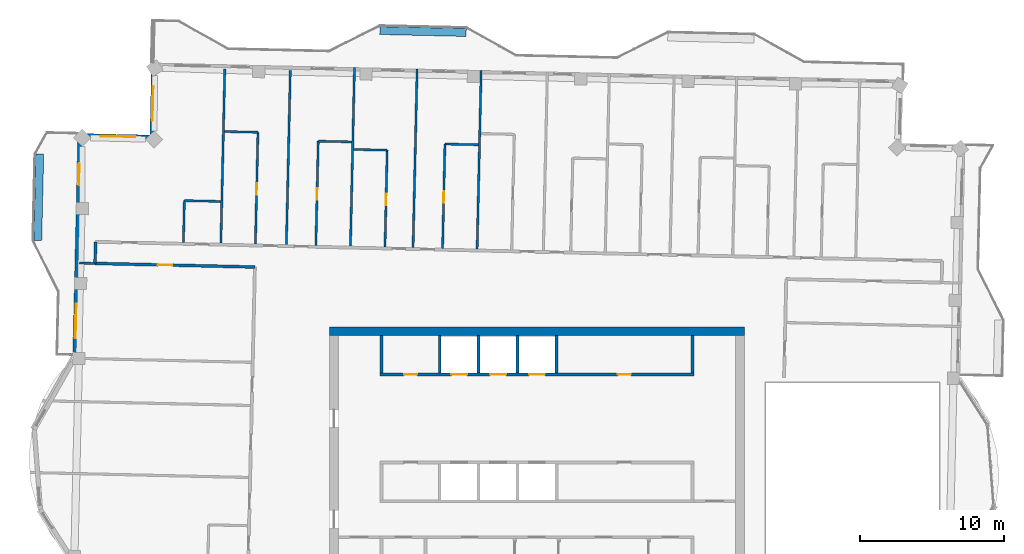
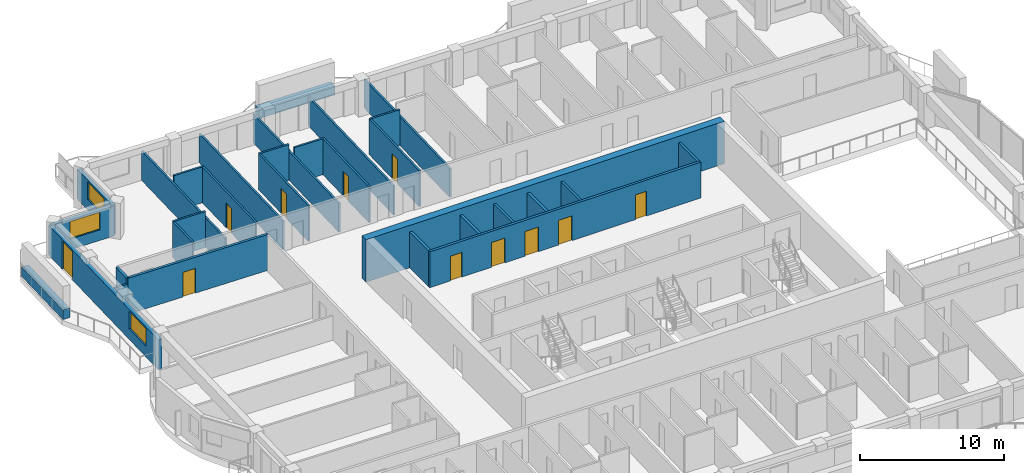
# One storey, part 8 of 15: 31 walls, 11 doors, 3 windows, 14 openings.
"""IFC4 building model written with IfcOpenShell, lengths in metres."""

from ifc_helpers import new_model, si_unit, direction, frame, frame_2d, origin, place, context, subcontext, project, spatial, rectangle, extrude, material, layer, layer_set, type_object, element, fill, save


model = new_model("IFC4")

# Units and contexts
model_context = context("Model", 3, precision=1e-05, world=origin(), true_north=direction((0.0, 1.0)))
body_context = subcontext(model_context, "Body", "Model", "MODEL_VIEW")
ifc_project = project(units=[si_unit("LENGTHUNIT", "METRE"), si_unit("AREAUNIT", "SQUARE_METRE"), si_unit("VOLUMEUNIT", "CUBIC_METRE"), si_unit("PLANEANGLEUNIT", "RADIAN"), si_unit("MASSUNIT", "GRAM", prefix="KILO")], contexts=[model_context])

# Site, building, storey
site_placement = place(None, origin())
site = spatial("IfcSite", under=ifc_project, at=site_placement, CompositionType="ELEMENT")
building_placement = place(site_placement, origin())
building = spatial("IfcBuilding", under=site, at=building_placement, Name="Mangrove Gate Tower", CompositionType="ELEMENT")
storey_placement = place(building_placement, frame((0.0, 0.0, 316.89990234375)))
storey = spatial("IfcBuildingStorey", under=building, at=storey_placement, Name="L81", CompositionType="ELEMENT", Elevation=316.89990234375)

# Walls
ifc_material_1 = material(Name="Concrete C32/40", Category="concrete")
ifc_layer_1 = layer(ifc_material_1, 0.199951171875)
ifc_layer_set_1 = layer_set([ifc_layer_1], Name="Core room wall 200 C32/40")
wall_type_1 = type_object("IfcWallType", Name="Core room wall 200 C32/40", PredefinedType="STANDARD", material=ifc_layer_set_1)
for number, where, z_axis, x_axis, name in (
    (1, (-10.800048828125, 8.199951171875, 0.0), (0.0, 0.0, 1.0), (0.0, 1.0, 0.0), "WALL-L81-CORE-25"),
    (2, (10.800048828125, 8.199951171875, 0.0), (0.0, 0.0, 1.0), (0.0, 1.0, 0.0), "WALL-L81-CORE-30"),
):
    element("IfcWall", number, at=place(storey_placement, frame(where, z_axis=z_axis, x_axis=x_axis)), inside=storey, type_object=wall_type_1, Name=name, PredefinedType="STANDARD", context=body_context, shape_type="SweptSolid", body=[
        extrude(rectangle(XDim=2.60009765625, YDim=0.199951171875, at=frame_2d((1.300048828125, 0.0))), origin(), (0.0, 0.0, 1.0), 3.050048828125),
    ])

# Wall, openings, doors
ifc_material_2 = material(Name="Concrete C50/60", Category="concrete")
ifc_layer_2 = layer(ifc_material_2, 0.199951171875)
ifc_layer_set_2 = layer_set([ifc_layer_2], Name="Core shaft wall 200 C50/60")
wall_type_2 = type_object("IfcWallType", Name="Core shaft wall 200 C50/60", PredefinedType="SHEAR", material=ifc_layer_set_2)
wall_1_placement = place(storey_placement, frame((-10.89990234375, 8.10009765625, 0.0), z_axis=(0.0, 0.0, 1.0), x_axis=(1.0, 0.0, 0.0)))
wall_1 = element("IfcWall", 3, at=wall_1_placement, inside=storey, type_object=wall_type_2, Name="WALL-L81-CORE-8", PredefinedType="SHEAR", context=body_context, shape_type="SweptSolid", body=[
    extrude(rectangle(XDim=21.7998046875, YDim=0.199951171875, at=frame_2d((10.89990234375, 0.0))), origin(), (0.0, 0.0, 1.0), 3.050048828125),
])
opening_1_placement = place(wall_1_placement, frame((4.949951171875, 0.0, 0.0)))
opening_1 = element("IfcOpeningElement", 4, at=opening_1_placement, cuts=wall_1, Name="Opening LD", PredefinedType="OPENING", context=body_context, shape_type="SweptSolid", body=[
    extrude(rectangle(XDim=1.10009765625, YDim=2.10009765625, at=frame_2d((0.550048828125, 1.050048828125))), frame((0.0, 0.10986328125, 0.0), z_axis=(0.0, -1.0, 0.0), x_axis=(1.0, 0.0, 0.0)), (0.0, 0.0, 1.0), 0.219970703125),
])
opening_2_placement = place(wall_1_placement, frame((7.64990234375, 0.0, 0.0)))
opening_2 = element("IfcOpeningElement", 5, at=opening_2_placement, cuts=wall_1, Name="Opening LD", PredefinedType="OPENING", context=body_context, shape_type="SweptSolid", body=[
    extrude(rectangle(XDim=1.10009765625, YDim=2.10009765625, at=frame_2d((0.550048828125, 1.050048828125))), frame((0.0, 0.10986328125, 0.0), z_axis=(0.0, -1.0, 0.0), x_axis=(1.0, 0.0, 0.0)), (0.0, 0.0, 1.0), 0.219970703125),
])
opening_3_placement = place(wall_1_placement, frame((10.35009765625, 0.0, 0.0)))
opening_3 = element("IfcOpeningElement", 6, at=opening_3_placement, cuts=wall_1, Name="Opening LD", PredefinedType="OPENING", context=body_context, shape_type="SweptSolid", body=[
    extrude(rectangle(XDim=1.10009765625, YDim=2.10009765625, at=frame_2d((0.550048828125, 1.050048828125))), frame((0.0, 0.10986328125, 0.0), z_axis=(0.0, -1.0, 0.0), x_axis=(1.0, 0.0, 0.0)), (0.0, 0.0, 1.0), 0.219970703125),
])
opening_4_placement = place(wall_1_placement, frame((1.675048828125, 0.0, 0.0)))
opening_4 = element("IfcOpeningElement", 7, at=opening_4_placement, cuts=wall_1, Name="Opening RD", PredefinedType="OPENING", context=body_context, shape_type="SweptSolid", body=[
    extrude(rectangle(XDim=0.89990234375, YDim=2.10009765625, at=frame_2d((0.449951171875, 1.050048828125))), frame((0.0, 0.10986328125, 0.0), z_axis=(0.0, -1.0, 0.0), x_axis=(1.0, 0.0, 0.0)), (0.0, 0.0, 1.0), 0.219970703125),
])
opening_5_placement = place(wall_1_placement, frame((16.52490234375, 0.0, 0.0)))
opening_5 = element("IfcOpeningElement", 8, at=opening_5_placement, cuts=wall_1, Name="Opening KD", PredefinedType="OPENING", context=body_context, shape_type="SweptSolid", body=[
    extrude(rectangle(XDim=0.89990234375, YDim=2.10009765625, at=frame_2d((0.449951171875, 1.050048828125))), frame((0.0, 0.10986328125, 0.0), z_axis=(0.0, -1.0, 0.0), x_axis=(1.0, 0.0, 0.0)), (0.0, 0.0, 1.0), 0.219970703125),
])
ifc_material_3 = material(Name="Fire-rated steel door set", Category="steel")
door_type_1 = type_object("IfcDoorType", Name="Core room door FD30S 900x2100", OperationType="SINGLE_SWING_RIGHT", PredefinedType="DOOR", material=ifc_material_3)
door_1_placement = place(opening_5_placement, origin())
door_1 = element("IfcDoor", 9, at=door_1_placement, inside=storey, type_object=door_type_1, Name="Core room door Core WC", OperationType="SINGLE_SWING_RIGHT", OverallHeight=2.10009765625, OverallWidth=0.89990234375, PredefinedType="DOOR", context=body_context, shape_type="SweptSolid", body=[
    extrude(rectangle(XDim=0.89990234375, YDim=2.10009765625, at=frame_2d((0.449951171875, 1.050048828125))), frame((0.0, 0.02490234375, 0.0), z_axis=(0.0, -1.0, 0.0), x_axis=(1.0, 0.0, 0.0)), (0.0, 0.0, 1.0), 0.050048828125),
])
fill(opening_5, door_1)
ifc_material_4 = material(Name="Stainless steel 316", Category="steel")
door_type_2 = type_object("IfcDoorType", Name="Lift landing door 1100x2100", OperationType="SLIDING_TO_LEFT", PredefinedType="DOOR", material=ifc_material_4)
door_2_placement = place(opening_1_placement, origin())
door_2 = element("IfcDoor", 10, at=door_2_placement, inside=storey, type_object=door_type_2, Name="Landing door LD H04", OperationType="SLIDING_TO_LEFT", OverallHeight=2.10009765625, OverallWidth=1.10009765625, PredefinedType="DOOR", context=body_context, shape_type="SweptSolid", body=[
    extrude(rectangle(XDim=1.10009765625, YDim=2.10009765625, at=frame_2d((0.550048828125, 1.050048828125))), frame((0.0, 0.02490234375, 0.0), z_axis=(0.0, -1.0, 0.0), x_axis=(1.0, 0.0, 0.0)), (0.0, 0.0, 1.0), 0.050048828125),
])
fill(opening_1, door_2)
door_3_placement = place(opening_2_placement, origin())
door_3 = element("IfcDoor", 11, at=door_3_placement, inside=storey, type_object=door_type_2, Name="Landing door LD H05", OperationType="SLIDING_TO_LEFT", OverallHeight=2.10009765625, OverallWidth=1.10009765625, PredefinedType="DOOR", context=body_context, shape_type="SweptSolid", body=[
    extrude(rectangle(XDim=1.10009765625, YDim=2.10009765625, at=frame_2d((0.550048828125, 1.050048828125))), frame((0.0, 0.02490234375, 0.0), z_axis=(0.0, -1.0, 0.0), x_axis=(1.0, 0.0, 0.0)), (0.0, 0.0, 1.0), 0.050048828125),
])
fill(opening_2, door_3)
door_4_placement = place(opening_3_placement, origin())
door_4 = element("IfcDoor", 12, at=door_4_placement, inside=storey, type_object=door_type_2, Name="Landing door LD H06", OperationType="SLIDING_TO_LEFT", OverallHeight=2.10009765625, OverallWidth=1.10009765625, PredefinedType="DOOR", context=body_context, shape_type="SweptSolid", body=[
    extrude(rectangle(XDim=1.10009765625, YDim=2.10009765625, at=frame_2d((0.550048828125, 1.050048828125))), frame((0.0, 0.02490234375, 0.0), z_axis=(0.0, -1.0, 0.0), x_axis=(1.0, 0.0, 0.0)), (0.0, 0.0, 1.0), 0.050048828125),
])
fill(opening_3, door_4)
ifc_material_5 = material(Name="Fire-rated steel door set", Category="steel")
door_type_3 = type_object("IfcDoorType", Name="Riser door FD30S 900x2100", OperationType="SINGLE_SWING_LEFT", PredefinedType="DOOR", material=ifc_material_5)
door_5_placement = place(opening_4_placement, origin())
door_5 = element("IfcDoor", 13, at=door_5_placement, inside=storey, type_object=door_type_3, Name="Riser door Comms room", OperationType="SINGLE_SWING_LEFT", OverallHeight=2.10009765625, OverallWidth=0.89990234375, PredefinedType="DOOR", context=body_context, shape_type="SweptSolid", body=[
    extrude(rectangle(XDim=0.89990234375, YDim=2.10009765625, at=frame_2d((0.449951171875, 1.050048828125))), frame((0.0, 0.02490234375, 0.0), z_axis=(0.0, -1.0, 0.0), x_axis=(1.0, 0.0, 0.0)), (0.0, 0.0, 1.0), 0.050048828125),
])
fill(opening_4, door_5)

# Walls
for number, where, z_axis, x_axis, name in (
    (14, (-6.75, 8.199951171875, 0.0), (0.0, 0.0, 1.0), (0.0, 1.0, 0.0), "WALL-L81-CORE-26"),
    (15, (-4.050048828125, 8.199951171875, 0.0), (0.0, 0.0, 1.0), (0.0, 1.0, 0.0), "WALL-L81-CORE-27"),
    (16, (-1.35009765625, 8.199951171875, 0.0), (0.0, 0.0, 1.0), (0.0, 1.0, 0.0), "WALL-L81-CORE-28"),
    (17, (1.35009765625, 8.199951171875, 0.0), (0.0, 0.0, 1.0), (0.0, 1.0, 0.0), "WALL-L81-CORE-29"),
):
    element("IfcWall", number, at=place(storey_placement, frame(where, z_axis=z_axis, x_axis=x_axis)), inside=storey, type_object=wall_type_2, Name=name, PredefinedType="SHEAR", context=body_context, shape_type="SweptSolid", body=[
        extrude(rectangle(XDim=2.60009765625, YDim=0.199951171875, at=frame_2d((1.300048828125, 0.0))), origin(), (0.0, 0.0, 1.0), 3.050048828125),
    ])
ifc_material_6 = material(Name="Concrete C50/60", Category="concrete")
ifc_layer_3 = layer(ifc_material_6, 0.60009765625)
ifc_layer_set_3 = layer_set([ifc_layer_3], Name="Core wall 600 C50/60")
wall_type_3 = type_object("IfcWallType", Name="Core wall 600 C50/60", PredefinedType="SHEAR", material=ifc_layer_set_3)
wall_2_placement = place(storey_placement, frame((-14.39990234375, 11.10009765625, 0.0), z_axis=(0.0, 0.0, 1.0), x_axis=(1.0, 0.0, 0.0)))
element("IfcWall", 18, at=wall_2_placement, inside=storey, type_object=wall_type_3, Name="WALL-L81-CORE-2", PredefinedType="SHEAR", context=body_context, shape_type="SweptSolid", body=[
    extrude(rectangle(XDim=28.7998046875, YDim=0.60009765625, at=frame_2d((14.39990234375, 0.0))), origin(), (0.0, 0.0, 1.0), 3.60009765625),
])

# Wall, opening, door
ifc_material_7 = material(Name="Gypsum board on steel stud, EI 60", Category="steel")
ifc_layer_4 = layer(ifc_material_7, 0.199951171875)
ifc_layer_set_4 = layer_set([ifc_layer_4], Name="Corridor wall EI 60")
wall_type_4 = type_object("IfcWallType", Name="Corridor wall EI 60", PredefinedType="PARTITIONING", material=ifc_layer_set_4)
wall_3_placement = place(storey_placement, frame((-30.68603515625, 15.81396484375, 0.0), z_axis=(0.0, 0.0, 1.0), x_axis=(0.999742346277, -0.022698921993, 0.0)))
wall_3 = element("IfcWall", 19, at=wall_3_placement, inside=storey, type_object=wall_type_4, Name="WALL-L81-054", PredefinedType="PARTITIONING", context=body_context, shape_type="SweptSolid", body=[
    extrude(rectangle(XDim=11.099853515625, YDim=0.199951171875, at=frame_2d((5.5498046875, 0.0))), origin(), (0.0, 0.0, 1.0), 3.050048828125),
])
opening_6_placement = place(wall_3_placement, frame((4.35009765625, 0.0, 0.0)))
opening_6 = element("IfcOpeningElement", 20, at=opening_6_placement, cuts=wall_3, Name="Opening AD", PredefinedType="OPENING", context=body_context, shape_type="SweptSolid", body=[
    extrude(rectangle(XDim=1.0, YDim=2.10009765625, at=frame_2d((0.5, 1.050048828125))), frame((0.0, 0.10986328125, 0.0), z_axis=(0.0, -1.0, 0.0), x_axis=(1.0, 0.0, 0.0)), (0.0, 0.0, 1.0), 0.219970703125),
])
ifc_material_8 = material(Name="Timber door leaf", Category="wood")
door_type_4 = type_object("IfcDoorType", Name="Amenity door 1000", OperationType="SINGLE_SWING_LEFT", PredefinedType="DOOR", material=ifc_material_8)
door_6_placement = place(opening_6_placement, origin())
door_6 = element("IfcDoor", 21, at=door_6_placement, inside=storey, type_object=door_type_4, Name="DOOR-L81-LNG-c5b", OperationType="SINGLE_SWING_LEFT", OverallHeight=2.10009765625, OverallWidth=1.0, PredefinedType="DOOR", context=body_context, shape_type="SweptSolid", body=[
    extrude(rectangle(XDim=1.0, YDim=2.10009765625, at=frame_2d((0.5, 1.050048828125))), frame((0.0, 0.02490234375, 0.0), z_axis=(0.0, -1.0, 0.0), x_axis=(1.0, 0.0, 0.0)), (0.0, 0.0, 1.0), 0.050048828125),
])
fill(opening_6, door_6)

# Wall
wall_4_placement = place(storey_placement, frame((-30.68603515625, 15.81396484375, 0.0), z_axis=(0.0, 0.0, 1.0), x_axis=(0.022632637625, 0.99974384905, 0.0)))
element("IfcWall", 22, at=wall_4_placement, inside=storey, type_object=wall_type_4, Name="WALL-L81-055", PredefinedType="PARTITIONING", context=body_context, shape_type="SweptSolid", body=[
    extrude(rectangle(XDim=1.49951171875, YDim=0.199951171875, at=frame_2d((0.749755859375, 0.0))), origin(), (0.0, 0.0, 1.0), 3.050048828125),
])

# Wall, opening, window
ifc_material_9 = material(Name="Limestone", Category="masonry")
ifc_layer_5 = layer(ifc_material_9, 0.0400390625, Name="Limestone cladding")
ifc_material_10 = material(Name="Ventilated air gap")
ifc_layer_6 = layer(ifc_material_10, 0.0400390625, Name="Ventilated cavity")
ifc_material_11 = material(Name="Mineral wool insulation")
ifc_layer_7 = layer(ifc_material_11, 0.06005859375, Name="Insulation")
ifc_material_12 = material(Name="Breather membrane")
ifc_layer_8 = layer(ifc_material_12, 0.001953125, Name="Breather membrane")
ifc_material_13 = material(Name="Concrete C20/25 blockwork", Category="masonry")
ifc_layer_9 = layer(ifc_material_13, 0.14990234375, Name="Blockwork backing wall")
ifc_material_14 = material(Name="Gypsum plaster")
ifc_layer_10 = layer(ifc_material_14, 0.008056640625, Name="Internal plaster")
ifc_layer_set_5 = layer_set([ifc_layer_5, ifc_layer_6, ifc_layer_7, ifc_layer_8, ifc_layer_9, ifc_layer_10], Name="External wall 300 limestone cladding")
wall_type_5 = type_object("IfcWallType", Name="External wall 300 limestone cladding", PredefinedType="SOLIDWALL", material=ifc_layer_set_5)
wall_5_placement = place(storey_placement, frame((-26.623046875, 29.574951171875, 0.0), z_axis=(0.0, 0.0, 1.0), x_axis=(-0.022606059803, -0.999744450377, 0.0)))
wall_5 = element("IfcWall", 23, at=wall_5_placement, inside=storey, type_object=wall_type_5, Name="WALL-L81-W6", PredefinedType="SOLIDWALL", context=body_context, shape_type="SweptSolid", body=[
    extrude(rectangle(XDim=5.000244140625, YDim=0.300048828125, at=frame_2d((2.5, 0.0))), origin(), (0.0, 0.0, 1.0), 2.550048828125),
])
opening_7_placement = place(wall_5_placement, frame((1.470947265625, 0.0, 0.89990234375)))
opening_7 = element("IfcOpeningElement", 24, at=opening_7_placement, cuts=wall_5, Name="Opening W2", PredefinedType="OPENING", context=body_context, shape_type="SweptSolid", body=[
    extrude(rectangle(XDim=2.39990234375, YDim=1.5, at=frame_2d((1.199951171875, 0.75))), frame((0.0, 0.159912109375, 0.0), z_axis=(0.0, -1.0, 0.0), x_axis=(1.0, 0.0, 0.0)), (0.0, 0.0, 1.0), 0.320068359375),
])
ifc_material_15 = material(Name="Aluminium frame with double-glazed low-e glass", Category="aluminium")
window_type = type_object("IfcWindowType", Name="Corner room window 2400x1500", PartitioningType="DOUBLE_PANEL_VERTICAL", PredefinedType="WINDOW", material=ifc_material_15)
window_1_placement = place(opening_7_placement, origin())
window_1 = element("IfcWindow", 25, at=window_1_placement, inside=storey, type_object=window_type, Name="WIN-L81-W6-1", OverallHeight=1.5, OverallWidth=2.39990234375, PartitioningType="DOUBLE_PANEL_VERTICAL", PredefinedType="WINDOW", context=body_context, shape_type="SweptSolid", body=[
    extrude(rectangle(XDim=2.39990234375, YDim=1.5, at=frame_2d((1.199951171875, 0.75))), frame((0.0, 0.030029296875, 0.0), z_axis=(0.0, -1.0, 0.0), x_axis=(1.0, 0.0, 0.0)), (0.0, 0.0, 1.0), 0.06005859375),
])
fill(opening_7, window_1)

wall_6_placement = place(storey_placement, frame((-26.736083984375, 24.575927734375, 0.0), z_axis=(0.0, 0.0, 1.0), x_axis=(-0.999740017489, 0.022801259434, 0.0)))
wall_6 = element("IfcWall", 26, at=wall_6_placement, inside=storey, type_object=wall_type_5, Name="WALL-L81-N7", PredefinedType="SOLIDWALL", context=body_context, shape_type="SweptSolid", body=[
    extrude(rectangle(XDim=5.000244140625, YDim=0.300048828125, at=frame_2d((2.5, 0.0))), origin(), (0.0, 0.0, 1.0), 2.550048828125),
])
opening_8_placement = place(wall_6_placement, frame((1.14697265625, 0.0, 0.89990234375)))
opening_8 = element("IfcOpeningElement", 27, at=opening_8_placement, cuts=wall_6, Name="Opening W2", PredefinedType="OPENING", context=body_context, shape_type="SweptSolid", body=[
    extrude(rectangle(XDim=2.39990234375, YDim=1.5, at=frame_2d((1.199951171875, 0.75))), frame((0.0, 0.159912109375, 0.0), z_axis=(0.0, -1.0, 0.0), x_axis=(1.0, 0.0, 0.0)), (0.0, 0.0, 1.0), 0.320068359375),
])
window_2_placement = place(opening_8_placement, origin())
window_2 = element("IfcWindow", 28, at=window_2_placement, inside=storey, type_object=window_type, Name="WIN-L81-N7-1", OverallHeight=1.5, OverallWidth=2.39990234375, PartitioningType="DOUBLE_PANEL_VERTICAL", PredefinedType="WINDOW", context=body_context, shape_type="SweptSolid", body=[
    extrude(rectangle(XDim=2.39990234375, YDim=1.5, at=frame_2d((1.199951171875, 0.75))), frame((0.0, 0.030029296875, 0.0), z_axis=(0.0, -1.0, 0.0), x_axis=(1.0, 0.0, 0.0)), (0.0, 0.0, 1.0), 0.06005859375),
])
fill(opening_8, window_2)

# Wall, openings, door, window
wall_7_placement = place(storey_placement, frame((-31.735107421875, 24.68994140625, 0.0), z_axis=(0.0, 0.0, 1.0), x_axis=(-0.022694199758, -0.999742453484, 0.0)))
wall_7 = element("IfcWall", 29, at=wall_7_placement, inside=storey, type_object=wall_type_5, Name="WALL-L81-W8s1", PredefinedType="SOLIDWALL", context=body_context, shape_type="SweptSolid", body=[
    extrude(rectangle(XDim=15.900146484375, YDim=0.300048828125, at=frame_2d((7.9501953125, 0.0))), origin(), (0.0, 0.0, 1.0), 2.550048828125),
])
opening_9_placement = place(wall_7_placement, frame((1.93896484375, 0.0, 0.0)))
opening_9 = element("IfcOpeningElement", 30, at=opening_9_placement, cuts=wall_7, Name="Opening BD1", PredefinedType="OPENING", context=body_context, shape_type="SweptSolid", body=[
    extrude(rectangle(XDim=1.5, YDim=2.39990234375, at=frame_2d((0.75, 1.199951171875))), frame((0.0, 0.159912109375, 0.0), z_axis=(0.0, -1.0, 0.0), x_axis=(1.0, 0.0, 0.0)), (0.0, 0.0, 1.0), 0.320068359375),
])
opening_10_placement = place(wall_7_placement, frame((11.6708984375, 0.0, 0.89990234375)))
opening_10 = element("IfcOpeningElement", 31, at=opening_10_placement, cuts=wall_7, Name="Opening W2", PredefinedType="OPENING", context=body_context, shape_type="SweptSolid", body=[
    extrude(rectangle(XDim=2.39990234375, YDim=1.5, at=frame_2d((1.199951171875, 0.75))), frame((0.0, 0.159912109375, 0.0), z_axis=(0.0, -1.0, 0.0), x_axis=(1.0, 0.0, 0.0)), (0.0, 0.0, 1.0), 0.320068359375),
])
ifc_material_16 = material(Name="Aluminium frame with laminated clear glass", Category="aluminium")
door_type_5 = type_object("IfcDoorType", Name="Balcony sliding door 1500x2400", OperationType="SLIDING_TO_LEFT", PredefinedType="DOOR", material=ifc_material_16)
door_7_placement = place(opening_9_placement, origin())
door_7 = element("IfcDoor", 32, at=door_7_placement, inside=storey, type_object=door_type_5, Name="DOOR-L81-W8-1", OperationType="SLIDING_TO_LEFT", OverallHeight=2.39990234375, OverallWidth=1.5, PredefinedType="DOOR", context=body_context, shape_type="SweptSolid", body=[
    extrude(rectangle(XDim=1.5, YDim=2.39990234375, at=frame_2d((0.75, 1.199951171875))), frame((0.0, 0.02490234375, 0.0), z_axis=(0.0, -1.0, 0.0), x_axis=(1.0, 0.0, 0.0)), (0.0, 0.0, 1.0), 0.050048828125),
])
fill(opening_9, door_7)
window_3_placement = place(opening_10_placement, origin())
window_3 = element("IfcWindow", 33, at=window_3_placement, inside=storey, type_object=window_type, Name="WIN-L81-W8-2", OverallHeight=1.5, OverallWidth=2.39990234375, PartitioningType="DOUBLE_PANEL_VERTICAL", PredefinedType="WINDOW", context=body_context, shape_type="SweptSolid", body=[
    extrude(rectangle(XDim=2.39990234375, YDim=1.5, at=frame_2d((1.199951171875, 0.75))), frame((0.0, 0.030029296875, 0.0), z_axis=(0.0, -1.0, 0.0), x_axis=(1.0, 0.0, 0.0)), (0.0, 0.0, 1.0), 0.06005859375),
])
fill(opening_10, window_3)

# Walls
ifc_material_17 = material(Name="Gypsum board on steel stud, EI 60", Category="steel")
ifc_layer_11 = layer(ifc_material_17, 0.14990234375)
ifc_layer_set_6 = layer_set([ifc_layer_11], Name="Party wall 150 EI 60")
wall_type_6 = type_object("IfcWallType", Name="Party wall 150 EI 60", PredefinedType="PARTITIONING", material=ifc_layer_set_6)
wall_8_placement = place(storey_placement, frame((-31.785888671875, 15.837890625, 0.0), z_axis=(0.0, 0.0, 1.0), x_axis=(0.999745701647, -0.022550654924, 0.0)))
element("IfcWall", 34, at=wall_8_placement, inside=storey, type_object=wall_type_6, Name="WALL-L81-053", PredefinedType="PARTITIONING", context=body_context, shape_type="SweptSolid", body=[
    extrude(rectangle(XDim=1.104248046875, YDim=0.14990234375, at=frame_2d((0.55224609375, 0.0))), origin(), (0.0, 0.0, 1.0), 2.550048828125),
])
wall_9_placement = place(storey_placement, frame((-24.551025390625, 17.27490234375, 0.0), z_axis=(0.0, 0.0, 1.0), x_axis=(0.022394382402, 0.999749214372, 0.0)))
element("IfcWall", 35, at=wall_9_placement, inside=storey, type_object=wall_type_6, Name="WALL-L81-060", PredefinedType="PARTITIONING", context=body_context, shape_type="SweptSolid", body=[
    extrude(rectangle(XDim=2.89990234375, YDim=0.14990234375, at=frame_2d((1.449951171875, 0.0))), origin(), (0.0, 0.0, 1.0), 3.050048828125),
])
wall_10_placement = place(storey_placement, frame((-21.951904296875, 17.216064453125, 0.0), z_axis=(0.0, 0.0, 1.0), x_axis=(0.02263844782, 0.9997437175, 0.0)))
element("IfcWall", 36, at=wall_10_placement, inside=storey, type_object=wall_type_6, Name="WALL-L81-061", PredefinedType="PARTITIONING", context=body_context, shape_type="SweptSolid", body=[
    extrude(rectangle(XDim=12.10009765625, YDim=0.14990234375, at=frame_2d((6.050048828125, 0.0))), origin(), (0.0, 0.0, 1.0), 2.5),
])

# Wall, opening, door
wall_11_placement = place(storey_placement, frame((-19.552978515625, 17.160888671875, 0.0), z_axis=(0.0, 0.0, 1.0), x_axis=(0.022683528451, 0.999742695666, 0.0)))
wall_11 = element("IfcWall", 37, at=wall_11_placement, inside=storey, type_object=wall_type_6, Name="WALL-L81-062", PredefinedType="PARTITIONING", context=body_context, shape_type="SweptSolid", body=[
    extrude(rectangle(XDim=7.760009765625, YDim=0.14990234375, at=frame_2d((3.8798828125, 0.0))), origin(), (0.0, 0.0, 1.0), 3.050048828125),
])
opening_11_placement = place(wall_11_placement, frame((3.429931640625, 0.0, 0.0)))
opening_11 = element("IfcOpeningElement", 38, at=opening_11_placement, cuts=wall_11, Name="Opening ED", PredefinedType="OPENING", context=body_context, shape_type="SweptSolid", body=[
    extrude(rectangle(XDim=0.800048828125, YDim=2.10009765625, at=frame_2d((0.39990234375, 1.050048828125))), frame((0.0, 0.0849609375, 0.0), z_axis=(0.0, -1.0, 0.0), x_axis=(1.0, 0.0, 0.0)), (0.0, 0.0, 1.0), 0.169921875),
])
ifc_material_18 = material(Name="Timber door leaf", Category="wood")
door_type_6 = type_object("IfcDoorType", Name="En-suite door 800", OperationType="SINGLE_SWING_LEFT", PredefinedType="DOOR", material=ifc_material_18)
door_8_placement = place(opening_11_placement, origin())
door_8 = element("IfcDoor", 39, at=door_8_placement, inside=storey, type_object=door_type_6, Name="DOOR-L81-ENS-c520", OperationType="SINGLE_SWING_RIGHT", OverallHeight=2.10009765625, OverallWidth=0.800048828125, PredefinedType="DOOR", context=body_context, shape_type="SweptSolid", body=[
    extrude(rectangle(XDim=0.800048828125, YDim=2.10009765625, at=frame_2d((0.39990234375, 1.050048828125))), frame((0.0, 0.02490234375, 0.0), z_axis=(0.0, -1.0, 0.0), x_axis=(1.0, 0.0, 0.0)), (0.0, 0.0, 1.0), 0.050048828125),
])
fill(opening_11, door_8)

# Wall
wall_12_placement = place(storey_placement, frame((-17.403076171875, 17.113037109375, 0.0), z_axis=(0.0, 0.0, 1.0), x_axis=(0.022660442732, 0.999743219199, 0.0)))
element("IfcWall", 40, at=wall_12_placement, inside=storey, type_object=wall_type_6, Name="WALL-L81-063", PredefinedType="PARTITIONING", context=body_context, shape_type="SweptSolid", body=[
    extrude(rectangle(XDim=12.09912109375, YDim=0.14990234375, at=frame_2d((6.049560546875, 0.0))), origin(), (0.0, 0.0, 1.0), 2.4501953125),
])

# Wall, opening, door
wall_13_placement = place(storey_placement, frame((-15.35400390625, 17.06591796875, 0.0), z_axis=(0.0, 0.0, 1.0), x_axis=(0.022660891034, 0.999743209038, 0.0)))
wall_13 = element("IfcWall", 41, at=wall_13_placement, inside=storey, type_object=wall_type_6, Name="WALL-L81-064", PredefinedType="PARTITIONING", context=body_context, shape_type="SweptSolid", body=[
    extrude(rectangle(XDim=7.239990234375, YDim=0.14990234375, at=frame_2d((3.6201171875, 0.0))), origin(), (0.0, 0.0, 1.0), 3.050048828125),
])
opening_12_placement = place(wall_13_placement, frame((3.169921875, 0.0, 0.0)))
opening_12 = element("IfcOpeningElement", 42, at=opening_12_placement, cuts=wall_13, Name="Opening ED", PredefinedType="OPENING", context=body_context, shape_type="SweptSolid", body=[
    extrude(rectangle(XDim=0.800048828125, YDim=2.10009765625, at=frame_2d((0.39990234375, 1.050048828125))), frame((0.0, 0.0849609375, 0.0), z_axis=(0.0, -1.0, 0.0), x_axis=(1.0, 0.0, 0.0)), (0.0, 0.0, 1.0), 0.169921875),
])
door_9_placement = place(opening_12_placement, origin())
door_9 = element("IfcDoor", 43, at=door_9_placement, inside=storey, type_object=door_type_6, Name="DOOR-L81-ENS-c519", OperationType="SINGLE_SWING_LEFT", OverallHeight=2.10009765625, OverallWidth=0.800048828125, PredefinedType="DOOR", context=body_context, shape_type="SweptSolid", body=[
    extrude(rectangle(XDim=0.800048828125, YDim=2.10009765625, at=frame_2d((0.39990234375, 1.050048828125))), frame((0.0, 0.02490234375, 0.0), z_axis=(0.0, -1.0, 0.0), x_axis=(1.0, 0.0, 0.0)), (0.0, 0.0, 1.0), 0.050048828125),
])
fill(opening_12, door_9)

# Wall
wall_14_placement = place(storey_placement, frame((-12.9541015625, 17.011962890625, 0.0), z_axis=(0.0, 0.0, 1.0), x_axis=(0.022663260168, 0.999743155335, 0.0)))
element("IfcWall", 44, at=wall_14_placement, inside=storey, type_object=wall_type_6, Name="WALL-L81-065", PredefinedType="PARTITIONING", context=body_context, shape_type="SweptSolid", body=[
    extrude(rectangle(XDim=12.399169921875, YDim=0.14990234375, at=frame_2d((6.19970703125, 0.0))), origin(), (0.0, 0.0, 1.0), 2.4501953125),
])

# Wall, opening, door
wall_15_placement = place(storey_placement, frame((-10.554931640625, 16.95703125, 0.0), z_axis=(0.0, 0.0, 1.0), x_axis=(0.022598435707, 0.999744622743, 0.0)))
wall_15 = element("IfcWall", 45, at=wall_15_placement, inside=storey, type_object=wall_type_6, Name="WALL-L81-066", PredefinedType="PARTITIONING", context=body_context, shape_type="SweptSolid", body=[
    extrude(rectangle(XDim=6.7197265625, YDim=0.14990234375, at=frame_2d((3.35986328125, 0.0))), origin(), (0.0, 0.0, 1.0), 3.050048828125),
])
opening_13_placement = place(wall_15_placement, frame((2.909912109375, 0.0, 0.0)))
opening_13 = element("IfcOpeningElement", 46, at=opening_13_placement, cuts=wall_15, Name="Opening ED", PredefinedType="OPENING", context=body_context, shape_type="SweptSolid", body=[
    extrude(rectangle(XDim=0.800048828125, YDim=2.10009765625, at=frame_2d((0.39990234375, 1.050048828125))), frame((0.0, 0.0849609375, 0.0), z_axis=(0.0, -1.0, 0.0), x_axis=(1.0, 0.0, 0.0)), (0.0, 0.0, 1.0), 0.169921875),
])
door_10_placement = place(opening_13_placement, origin())
door_10 = element("IfcDoor", 47, at=door_10_placement, inside=storey, type_object=door_type_6, Name="DOOR-L81-ENS-c518", OperationType="SINGLE_SWING_RIGHT", OverallHeight=2.10009765625, OverallWidth=0.800048828125, PredefinedType="DOOR", context=body_context, shape_type="SweptSolid", body=[
    extrude(rectangle(XDim=0.800048828125, YDim=2.10009765625, at=frame_2d((0.39990234375, 1.050048828125))), frame((0.0, 0.02490234375, 0.0), z_axis=(0.0, -1.0, 0.0), x_axis=(1.0, 0.0, 0.0)), (0.0, 0.0, 1.0), 0.050048828125),
])
fill(opening_13, door_10)

# Wall
wall_16_placement = place(storey_placement, frame((-8.60595703125, 16.9130859375, 0.0), z_axis=(0.0, 0.0, 1.0), x_axis=(0.022740189192, 0.999741408463, 0.0)))
element("IfcWall", 48, at=wall_16_placement, inside=storey, type_object=wall_type_6, Name="WALL-L81-067", PredefinedType="PARTITIONING", context=body_context, shape_type="SweptSolid", body=[
    extrude(rectangle(XDim=12.400146484375, YDim=0.14990234375, at=frame_2d((6.2001953125, 0.0))), origin(), (0.0, 0.0, 1.0), 2.4501953125),
])

# Wall, opening, door
wall_17_placement = place(storey_placement, frame((-6.555908203125, 16.865966796875, 0.0), z_axis=(0.0, 0.0, 1.0), x_axis=(0.022627186748, 0.999743972435, 0.0)))
wall_17 = element("IfcWall", 49, at=wall_17_placement, inside=storey, type_object=wall_type_6, Name="WALL-L81-068", PredefinedType="PARTITIONING", context=body_context, shape_type="SweptSolid", body=[
    extrude(rectangle(XDim=7.239990234375, YDim=0.14990234375, at=frame_2d((3.6201171875, 0.0))), origin(), (0.0, 0.0, 1.0), 3.050048828125),
])
opening_14_placement = place(wall_17_placement, frame((3.169921875, 0.0, 0.0)))
opening_14 = element("IfcOpeningElement", 50, at=opening_14_placement, cuts=wall_17, Name="Opening ED", PredefinedType="OPENING", context=body_context, shape_type="SweptSolid", body=[
    extrude(rectangle(XDim=0.800048828125, YDim=2.10009765625, at=frame_2d((0.39990234375, 1.050048828125))), frame((0.0, 0.0849609375, 0.0), z_axis=(0.0, -1.0, 0.0), x_axis=(1.0, 0.0, 0.0)), (0.0, 0.0, 1.0), 0.169921875),
])
door_11_placement = place(opening_14_placement, origin())
door_11 = element("IfcDoor", 51, at=door_11_placement, inside=storey, type_object=door_type_6, Name="DOOR-L81-ENS-c517", OperationType="SINGLE_SWING_LEFT", OverallHeight=2.10009765625, OverallWidth=0.800048828125, PredefinedType="DOOR", context=body_context, shape_type="SweptSolid", body=[
    extrude(rectangle(XDim=0.800048828125, YDim=2.10009765625, at=frame_2d((0.39990234375, 1.050048828125))), frame((0.0, 0.02490234375, 0.0), z_axis=(0.0, -1.0, 0.0), x_axis=(1.0, 0.0, 0.0)), (0.0, 0.0, 1.0), 0.050048828125),
])
fill(opening_14, door_11)

# Walls
wall_18_placement = place(storey_placement, frame((-4.156982421875, 16.81201171875, 0.0), z_axis=(0.0, 0.0, 1.0), x_axis=(0.022740189192, 0.999741408463, 0.0)))
element("IfcWall", 52, at=wall_18_placement, inside=storey, type_object=wall_type_6, Name="WALL-L81-069", PredefinedType="PARTITIONING", context=body_context, shape_type="SweptSolid", body=[
    extrude(rectangle(XDim=12.400146484375, YDim=0.14990234375, at=frame_2d((6.2001953125, 0.0))), origin(), (0.0, 0.0, 1.0), 2.4501953125),
])
wall_19_placement = place(storey_placement, frame((-24.486083984375, 20.174072265625, 0.0), z_axis=(0.0, 0.0, 1.0), x_axis=(0.999744175585, -0.022618209135, 0.0)))
element("IfcWall", 53, at=wall_19_placement, inside=storey, type_object=wall_type_6, Name="WALL-L81-082", PredefinedType="PARTITIONING", context=body_context, shape_type="SweptSolid", body=[
    extrude(rectangle(XDim=2.52587890625, YDim=0.14990234375, at=frame_2d((1.262939453125, 0.0))), origin(), (0.0, 0.0, 1.0), 3.050048828125),
])
wall_20_placement = place(storey_placement, frame((-12.72705078125, 23.72802734375, 0.0), z_axis=(0.0, 0.0, 1.0), x_axis=(0.999740260747, -0.02279059109, 0.0)))
element("IfcWall", 54, at=wall_20_placement, inside=storey, type_object=wall_type_6, Name="WALL-L81-086", PredefinedType="PARTITIONING", context=body_context, shape_type="SweptSolid", body=[
    extrude(rectangle(XDim=2.324462890625, YDim=0.14990234375, at=frame_2d((1.162109375, 0.0))), origin(), (0.0, 0.0, 1.0), 3.050048828125),
])
wall_21_placement = place(storey_placement, frame((-15.18994140625, 24.303955078125, 0.0), z_axis=(0.0, 0.0, 1.0), x_axis=(0.999740478815, -0.022781023197, 0.0)))
element("IfcWall", 55, at=wall_21_placement, inside=storey, type_object=wall_type_6, Name="WALL-L81-088", PredefinedType="PARTITIONING", context=body_context, shape_type="SweptSolid", body=[
    extrude(rectangle(XDim=2.325439453125, YDim=0.14990234375, at=frame_2d((1.16259765625, 0.0))), origin(), (0.0, 0.0, 1.0), 3.050048828125),
])
wall_22_placement = place(storey_placement, frame((-6.39208984375, 24.10400390625, 0.0), z_axis=(0.0, 0.0, 1.0), x_axis=(0.999750007167, -0.022358961731, 0.0)))
element("IfcWall", 56, at=wall_22_placement, inside=storey, type_object=wall_type_6, Name="WALL-L81-089", PredefinedType="PARTITIONING", context=body_context, shape_type="SweptSolid", body=[
    extrude(rectangle(XDim=2.32568359375, YDim=0.14990234375, at=frame_2d((1.162841796875, 0.0))), origin(), (0.0, 0.0, 1.0), 3.050048828125),
])
wall_23_placement = place(storey_placement, frame((-21.700927734375, 24.971923828125, 0.0), z_axis=(0.0, 0.0, 1.0), x_axis=(0.999740260747, -0.02279059109, 0.0)))
element("IfcWall", 57, at=wall_23_placement, inside=storey, type_object=wall_type_6, Name="WALL-L81-091", PredefinedType="PARTITIONING", context=body_context, shape_type="SweptSolid", body=[
    extrude(rectangle(XDim=2.324462890625, YDim=0.14990234375, at=frame_2d((1.162109375, 0.0))), origin(), (0.0, 0.0, 1.0), 3.050048828125),
])
ifc_material_19 = material(Name="Concrete C32/40", Category="concrete")
ifc_layer_12 = layer(ifc_material_19, 0.199951171875, Name="Planter trough wall")
ifc_material_20 = material(Name="Bituminous waterproofing membrane")
ifc_layer_13 = layer(ifc_material_20, 0.0048828125, Name="Waterproofing")
ifc_material_21 = material(Name="Drainage board and gravel")
ifc_layer_14 = layer(ifc_material_21, 0.044921875, Name="Drainage layer")
ifc_material_22 = material(Name="Planting soil")
ifc_layer_15 = layer(ifc_material_22, 0.300048828125, Name="Growing medium")
ifc_layer_set_7 = layer_set([ifc_layer_12, ifc_layer_13, ifc_layer_14, ifc_layer_15], Name="Planter wall 550 C32/40")
wall_type_7 = type_object("IfcWallType", Name="Planter wall 550 C32/40", PredefinedType="USERDEFINED", material=ifc_layer_set_7)
wall_24_placement = place(storey_placement, frame((-10.9140625, 31.98388671875, 0.0), z_axis=(0.0, 0.0, 1.0), x_axis=(0.999743178102, -0.022662255828, 0.0)))
element("IfcWall", 58, at=wall_24_placement, inside=storey, type_object=wall_type_7, Name="PLANTER L81 N1.1", ObjectType="PLANTER", PredefinedType="USERDEFINED", context=body_context, shape_type="SweptSolid", body=[
    extrude(rectangle(XDim=6.00048828125, YDim=0.550048828125, at=frame_2d((3.000244140625, 0.0))), origin(), (0.0, 0.0, 1.0), 0.800048828125),
])
wall_25_placement = place(storey_placement, frame((-34.666015625, 17.405029296875, 0.0), z_axis=(0.0, 0.0, 1.0), x_axis=(0.022665943652, 0.999743094499, 0.0)))
element("IfcWall", 59, at=wall_25_placement, inside=storey, type_object=wall_type_7, Name="PLANTER L81 W0.1", ObjectType="PLANTER", PredefinedType="USERDEFINED", context=body_context, shape_type="SweptSolid", body=[
    extrude(rectangle(XDim=5.99951171875, YDim=0.550048828125, at=frame_2d((2.999755859375, 0.0))), origin(), (0.0, 0.0, 1.0), 0.800048828125),
])

save(model, "model.ifc")
